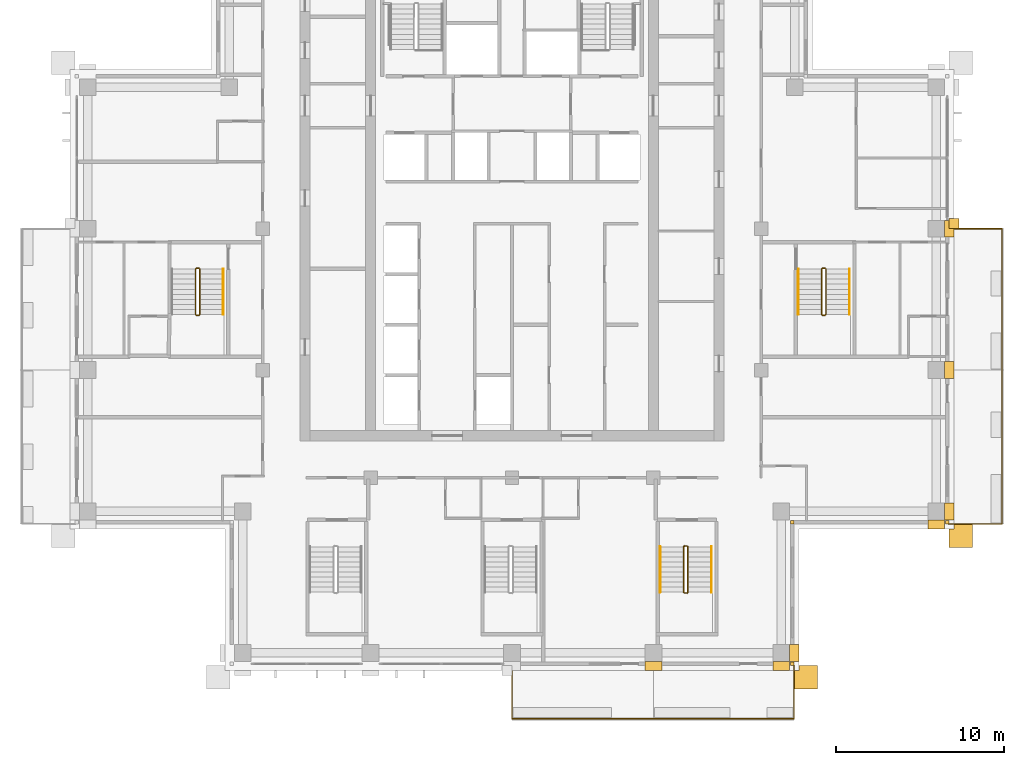
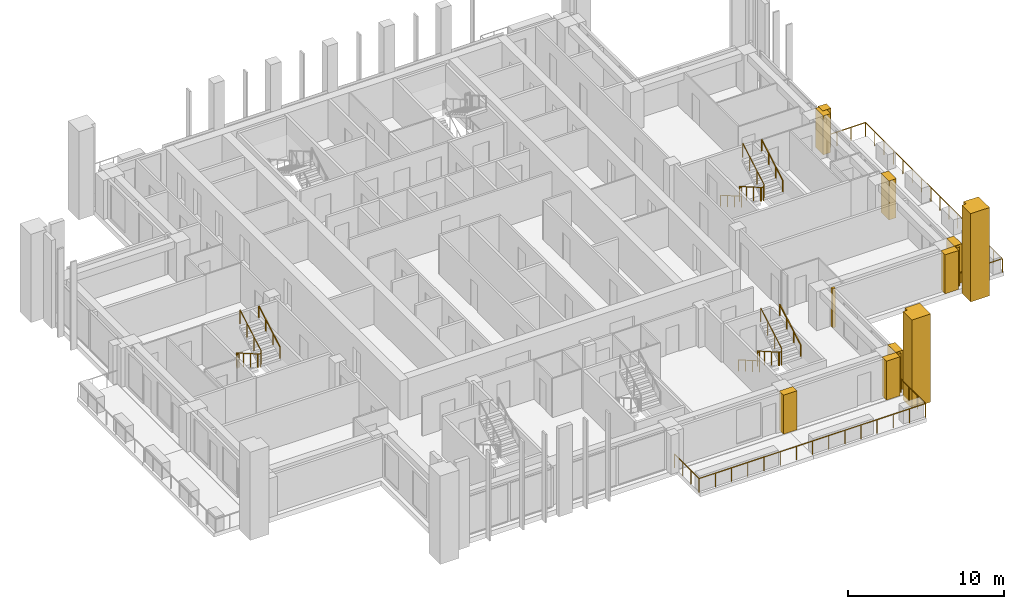
# One storey, part 16 of 18: 13 coverings, 12 railings.
"""IFC4 building model written with IfcOpenShell, lengths in metres."""

from ifc_helpers import new_model, si_unit, direction, frame, origin, origin_2d, place, context, subcontext, project, spatial, polyline, rectangle, outline, extrude, material, type_object, element, save


model = new_model("IFC4")

# Units and contexts
model_context = context("Model", 3, precision=1e-05, world=origin(), true_north=direction((0.0, 1.0)))
body_context = subcontext(model_context, "Body", "Model", "MODEL_VIEW")
ifc_project = project(units=[si_unit("LENGTHUNIT", "METRE"), si_unit("AREAUNIT", "SQUARE_METRE"), si_unit("VOLUMEUNIT", "CUBIC_METRE"), si_unit("PLANEANGLEUNIT", "RADIAN"), si_unit("MASSUNIT", "GRAM", prefix="KILO")], contexts=[model_context])

# Site, building, storey
site_placement = place(None, origin())
site = spatial("IfcSite", under=ifc_project, at=site_placement, CompositionType="ELEMENT")
building_placement = place(site_placement, origin())
building = spatial("IfcBuilding", under=site, at=building_placement, Name="Vermilion Ogive Tower", CompositionType="ELEMENT")
storey_placement = place(building_placement, frame((0.0, 0.0, 199.699951171875)))
storey = spatial("IfcBuildingStorey", under=building, at=storey_placement, Name="L52", CompositionType="ELEMENT", Elevation=199.699951171875)

# Railings
ifc_material_1 = material(Name="Stainless steel and glass", Category="steel")
railing_type_1 = type_object("IfcRailingType", Name="Balcony guard", PredefinedType="GUARDRAIL", material=ifc_material_1)
railing_1_placement = place(storey_placement, frame((0.0, -21.75, -0.0400390625)))
element("IfcRailing", 1, at=railing_1_placement, inside=storey, type_object=railing_type_1, Name="Guard S03", PredefinedType="GUARDRAIL", context=body_context, shape_type="SweptSolid", body=[
    extrude(rectangle(XDim=0.048095703125, YDim=0.048095703125, at=origin_2d()), frame((0.0, 0.0, 1.076171875), z_axis=(0.0, -1.0, 0.0), x_axis=(1.0, 0.0, 0.0)), (0.0, 0.0, 1.0), 3.159912109375),
    extrude(rectangle(XDim=0.048095703125, YDim=0.048095703125, at=origin_2d()), frame((0.0, -3.159912109375, 1.076171875), z_axis=(1.0, 0.0, 0.0), x_axis=(0.0, 1.0, 0.0)), (0.0, 0.0, 1.0), 8.39990234375),
    extrude(rectangle(XDim=0.0419921875, YDim=0.0419921875, at=origin_2d()), origin(), (0.0, 0.0, 1.0), 1.052001953125),
    extrude(rectangle(XDim=0.0419921875, YDim=0.0419921875, at=origin_2d()), frame((0.0, -1.05322265625, 0.0)), (0.0, 0.0, 1.0), 1.052001953125),
    extrude(rectangle(XDim=0.0419921875, YDim=0.0419921875, at=origin_2d()), frame((0.0, -2.106689453125, 0.0)), (0.0, 0.0, 1.0), 1.052001953125),
    extrude(rectangle(XDim=0.0419921875, YDim=0.0419921875, at=origin_2d()), frame((0.0, -3.159912109375, 0.0)), (0.0, 0.0, 1.0), 1.052001953125),
    extrude(rectangle(XDim=0.0419921875, YDim=0.0419921875, at=origin_2d()), frame((1.199951171875, -3.159912109375, 0.0)), (0.0, 0.0, 1.0), 1.052001953125),
    extrude(rectangle(XDim=0.0419921875, YDim=0.0419921875, at=origin_2d()), frame((2.39990234375, -3.159912109375, 0.0)), (0.0, 0.0, 1.0), 1.052001953125),
    extrude(rectangle(XDim=0.0419921875, YDim=0.0419921875, at=origin_2d()), frame((3.599853515625, -3.159912109375, 0.0)), (0.0, 0.0, 1.0), 1.052001953125),
    extrude(rectangle(XDim=0.0419921875, YDim=0.0419921875, at=origin_2d()), frame((4.800048828125, -3.159912109375, 0.0)), (0.0, 0.0, 1.0), 1.052001953125),
    extrude(rectangle(XDim=0.0419921875, YDim=0.0419921875, at=origin_2d()), frame((6.0, -3.159912109375, 0.0)), (0.0, 0.0, 1.0), 1.052001953125),
    extrude(rectangle(XDim=0.0419921875, YDim=0.0419921875, at=origin_2d()), frame((7.199951171875, -3.159912109375, 0.0)), (0.0, 0.0, 1.0), 1.052001953125),
    extrude(rectangle(XDim=0.0419921875, YDim=0.0419921875, at=origin_2d()), frame((8.39990234375, -3.159912109375, 0.0)), (0.0, 0.0, 1.0), 1.052001953125),
])
railing_2_placement = place(storey_placement, frame((8.39990234375, -24.909912109375, -0.0400390625)))
element("IfcRailing", 2, at=railing_2_placement, inside=storey, type_object=railing_type_1, Name="Guard S04", PredefinedType="GUARDRAIL", context=body_context, shape_type="SweptSolid", body=[
    extrude(rectangle(XDim=0.048095703125, YDim=0.048095703125, at=origin_2d()), frame((0.0, 0.0, 1.076171875), z_axis=(1.0, 0.0, 0.0), x_axis=(0.0, 1.0, 0.0)), (0.0, 0.0, 1.0), 8.35009765625),
    extrude(rectangle(XDim=0.048095703125, YDim=0.048095703125, at=origin_2d()), frame((8.35009765625, 0.0, 1.076171875), z_axis=(0.0, 1.0, 0.0), x_axis=(-1.0, 0.0, 0.0)), (0.0, 0.0, 1.0), 3.159912109375),
    extrude(rectangle(XDim=0.0419921875, YDim=0.0419921875, at=origin_2d()), origin(), (0.0, 0.0, 1.0), 1.052001953125),
    extrude(rectangle(XDim=0.0419921875, YDim=0.0419921875, at=origin_2d()), frame((1.19287109375, 0.0, 0.0)), (0.0, 0.0, 1.0), 1.052001953125),
    extrude(rectangle(XDim=0.0419921875, YDim=0.0419921875, at=origin_2d()), frame((2.3857421875, 0.0, 0.0)), (0.0, 0.0, 1.0), 1.052001953125),
    extrude(rectangle(XDim=0.0419921875, YDim=0.0419921875, at=origin_2d()), frame((3.57861328125, 0.0, 0.0)), (0.0, 0.0, 1.0), 1.052001953125),
    extrude(rectangle(XDim=0.0419921875, YDim=0.0419921875, at=origin_2d()), frame((4.771484375, 0.0, 0.0)), (0.0, 0.0, 1.0), 1.052001953125),
    extrude(rectangle(XDim=0.0419921875, YDim=0.0419921875, at=origin_2d()), frame((5.96435546875, 0.0, 0.0)), (0.0, 0.0, 1.0), 1.052001953125),
    extrude(rectangle(XDim=0.0419921875, YDim=0.0419921875, at=origin_2d()), frame((7.1572265625, 0.0, 0.0)), (0.0, 0.0, 1.0), 1.052001953125),
    extrude(rectangle(XDim=0.0419921875, YDim=0.0419921875, at=origin_2d()), frame((8.35009765625, 0.0, 0.0)), (0.0, 0.0, 1.0), 1.052001953125),
    extrude(rectangle(XDim=0.0419921875, YDim=0.0419921875, at=origin_2d()), frame((8.35009765625, 1.05322265625, 0.0)), (0.0, 0.0, 1.0), 1.052001953125),
    extrude(rectangle(XDim=0.0419921875, YDim=0.0419921875, at=origin_2d()), frame((8.35009765625, 2.106689453125, 0.0)), (0.0, 0.0, 1.0), 1.052001953125),
    extrude(rectangle(XDim=0.0419921875, YDim=0.0419921875, at=origin_2d()), frame((8.35009765625, 3.159912109375, 0.0)), (0.0, 0.0, 1.0), 1.052001953125),
])
railing_3_placement = place(storey_placement, frame((25.949951171875, -13.35009765625, -0.0400390625)))
element("IfcRailing", 3, at=railing_3_placement, inside=storey, type_object=railing_type_1, Name="Guard E01", PredefinedType="GUARDRAIL", context=body_context, shape_type="SweptSolid", body=[
    extrude(rectangle(XDim=0.048095703125, YDim=0.048095703125, at=origin_2d()), frame((0.0, 0.0, 1.076171875), z_axis=(1.0, 0.0, 0.0), x_axis=(0.0, 1.0, 0.0)), (0.0, 0.0, 1.0), 3.16015625),
    extrude(rectangle(XDim=0.048095703125, YDim=0.048095703125, at=origin_2d()), frame((3.16015625, 0.0, 1.076171875), z_axis=(0.0, 1.0, 0.0), x_axis=(-1.0, 0.0, 0.0)), (0.0, 0.0, 1.0), 9.150146484375),
    extrude(rectangle(XDim=0.0419921875, YDim=0.0419921875, at=origin_2d()), origin(), (0.0, 0.0, 1.0), 1.052001953125),
    extrude(rectangle(XDim=0.0419921875, YDim=0.0419921875, at=origin_2d()), frame((1.053466796875, 0.0, 0.0)), (0.0, 0.0, 1.0), 1.052001953125),
    extrude(rectangle(XDim=0.0419921875, YDim=0.0419921875, at=origin_2d()), frame((2.106689453125, 0.0, 0.0)), (0.0, 0.0, 1.0), 1.052001953125),
    extrude(rectangle(XDim=0.0419921875, YDim=0.0419921875, at=origin_2d()), frame((3.16015625, 0.0, 0.0)), (0.0, 0.0, 1.0), 1.052001953125),
    extrude(rectangle(XDim=0.0419921875, YDim=0.0419921875, at=origin_2d()), frame((3.16015625, 1.143798828125, 0.0)), (0.0, 0.0, 1.0), 1.052001953125),
    extrude(rectangle(XDim=0.0419921875, YDim=0.0419921875, at=origin_2d()), frame((3.16015625, 2.28759765625, 0.0)), (0.0, 0.0, 1.0), 1.052001953125),
    extrude(rectangle(XDim=0.0419921875, YDim=0.0419921875, at=origin_2d()), frame((3.16015625, 3.431396484375, 0.0)), (0.0, 0.0, 1.0), 1.052001953125),
    extrude(rectangle(XDim=0.0419921875, YDim=0.0419921875, at=origin_2d()), frame((3.16015625, 4.5751953125, 0.0)), (0.0, 0.0, 1.0), 1.052001953125),
    extrude(rectangle(XDim=0.0419921875, YDim=0.0419921875, at=origin_2d()), frame((3.16015625, 5.71875, 0.0)), (0.0, 0.0, 1.0), 1.052001953125),
    extrude(rectangle(XDim=0.0419921875, YDim=0.0419921875, at=origin_2d()), frame((3.16015625, 6.862548828125, 0.0)), (0.0, 0.0, 1.0), 1.052001953125),
    extrude(rectangle(XDim=0.0419921875, YDim=0.0419921875, at=origin_2d()), frame((3.16015625, 8.00634765625, 0.0)), (0.0, 0.0, 1.0), 1.052001953125),
    extrude(rectangle(XDim=0.0419921875, YDim=0.0419921875, at=origin_2d()), frame((3.16015625, 9.150146484375, 0.0)), (0.0, 0.0, 1.0), 1.052001953125),
])
railing_4_placement = place(storey_placement, frame((29.110107421875, -4.199951171875, -0.0400390625)))
element("IfcRailing", 4, at=railing_4_placement, inside=storey, type_object=railing_type_1, Name="Guard E02", PredefinedType="GUARDRAIL", context=body_context, shape_type="SweptSolid", body=[
    extrude(rectangle(XDim=0.048095703125, YDim=0.048095703125, at=origin_2d()), frame((0.0, 0.0, 1.076171875), z_axis=(0.0, 1.0, 0.0), x_axis=(-1.0, 0.0, 0.0)), (0.0, 0.0, 1.0), 8.39990234375),
    extrude(rectangle(XDim=0.048095703125, YDim=0.048095703125, at=origin_2d()), frame((0.0, 8.39990234375, 1.076171875), z_axis=(-1.0, 0.0, 0.0), x_axis=(0.0, -1.0, 0.0)), (0.0, 0.0, 1.0), 3.16015625),
    extrude(rectangle(XDim=0.0419921875, YDim=0.0419921875, at=origin_2d()), origin(), (0.0, 0.0, 1.0), 1.052001953125),
    extrude(rectangle(XDim=0.0419921875, YDim=0.0419921875, at=origin_2d()), frame((0.0, 1.199951171875, 0.0)), (0.0, 0.0, 1.0), 1.052001953125),
    extrude(rectangle(XDim=0.0419921875, YDim=0.0419921875, at=origin_2d()), frame((0.0, 2.39990234375, 0.0)), (0.0, 0.0, 1.0), 1.052001953125),
    extrude(rectangle(XDim=0.0419921875, YDim=0.0419921875, at=origin_2d()), frame((0.0, 3.599853515625, 0.0)), (0.0, 0.0, 1.0), 1.052001953125),
    extrude(rectangle(XDim=0.0419921875, YDim=0.0419921875, at=origin_2d()), frame((0.0, 4.800048828125, 0.0)), (0.0, 0.0, 1.0), 1.052001953125),
    extrude(rectangle(XDim=0.0419921875, YDim=0.0419921875, at=origin_2d()), frame((0.0, 6.0, 0.0)), (0.0, 0.0, 1.0), 1.052001953125),
    extrude(rectangle(XDim=0.0419921875, YDim=0.0419921875, at=origin_2d()), frame((0.0, 7.199951171875, 0.0)), (0.0, 0.0, 1.0), 1.052001953125),
    extrude(rectangle(XDim=0.0419921875, YDim=0.0419921875, at=origin_2d()), frame((0.0, 8.39990234375, 0.0)), (0.0, 0.0, 1.0), 1.052001953125),
    extrude(rectangle(XDim=0.0419921875, YDim=0.0419921875, at=origin_2d()), frame((-1.053466796875, 8.39990234375, 0.0)), (0.0, 0.0, 1.0), 1.052001953125),
    extrude(rectangle(XDim=0.0419921875, YDim=0.0419921875, at=origin_2d()), frame((-2.106689453125, 8.39990234375, 0.0)), (0.0, 0.0, 1.0), 1.052001953125),
    extrude(rectangle(XDim=0.0419921875, YDim=0.0419921875, at=origin_2d()), frame((-3.16015625, 8.39990234375, 0.0)), (0.0, 0.0, 1.0), 1.052001953125),
])
ifc_material_2 = material(Name="Steel S355 painted", Category="steel")
railing_type_2 = type_object("IfcRailingType", Name="Stair guard 1100", PredefinedType="GUARDRAIL", material=ifc_material_2)
railing_5_placement = place(storey_placement, frame((10.39990234375, -14.64990234375, 0.0)))
element("IfcRailing", 5, at=railing_5_placement, inside=storey, type_object=railing_type_2, Name="L52 ST5 stair guard 4", PredefinedType="GUARDRAIL", context=body_context, shape_type="SweptSolid", body=[
    extrude(rectangle(XDim=0.048095703125, YDim=0.048095703125, at=origin_2d()), frame((0.0, 0.0, 1.076171875), z_axis=(-1.0, 0.0, 0.0), x_axis=(0.0, -1.0, 0.0)), (0.0, 0.0, 1.0), 0.14990234375),
    extrude(rectangle(XDim=0.048095703125, YDim=0.048095703125, at=origin_2d()), frame((-0.14990234375, 0.0, 1.076171875), z_axis=(-0.268277960024, -0.268277960024, 0.925231793839), x_axis=(0.707106781187, -0.707106781187, 0.0)), (0.0, 0.0, 1.0), 0.1865234375),
    extrude(rectangle(XDim=0.048095703125, YDim=0.048095703125, at=origin_2d()), frame((-0.199951171875, -0.050048828125, 1.24853515625), z_axis=(0.0, -0.866903762492, 0.498475542607), x_axis=(1.0, 0.0, 0.0)), (0.0, 0.0, 1.0), 3.114501953125),
    extrude(rectangle(XDim=0.048095703125, YDim=0.048095703125, at=origin_2d()), frame((-0.199951171875, -2.75, 2.80126953125), z_axis=(0.707106781187, -0.707106781187, 0.0), x_axis=(0.707106781187, 0.707106781187, 0.0)), (0.0, 0.0, 1.0), 0.07080078125),
    extrude(rectangle(XDim=0.048095703125, YDim=0.048095703125, at=origin_2d()), frame((-0.14990234375, -2.800048828125, 2.80126953125), z_axis=(1.0, 0.0, 0.0), x_axis=(0.0, 1.0, 0.0)), (0.0, 0.0, 1.0), 0.14990234375),
    extrude(rectangle(XDim=0.048095703125, YDim=0.048095703125, at=origin_2d()), frame((0.0, -2.800048828125, 2.80126953125), z_axis=(0.268603158521, 0.268603158521, 0.925043072762), x_axis=(-0.707106781187, 0.707106781187, 0.0)), (0.0, 0.0, 1.0), 0.186279296875),
    extrude(rectangle(XDim=0.048095703125, YDim=0.048095703125, at=origin_2d()), frame((0.050048828125, -2.75, 2.9736328125), z_axis=(0.0, 0.866903762492, 0.498475542607), x_axis=(-1.0, 0.0, 0.0)), (0.0, 0.0, 1.0), 3.114501953125),
    extrude(rectangle(XDim=0.0419921875, YDim=0.0419921875, at=origin_2d()), origin(), (0.0, 0.0, 1.0), 1.052001953125),
    extrude(rectangle(XDim=0.0419921875, YDim=0.0419921875, at=origin_2d()), frame((-0.14990234375, 0.0, 0.0)), (0.0, 0.0, 1.0), 1.052001953125),
    extrude(rectangle(XDim=0.0419921875, YDim=0.0419921875, at=origin_2d()), frame((-0.199951171875, -0.050048828125, 0.172607421875)), (0.0, 0.0, 1.0), 1.052001953125),
    extrude(rectangle(XDim=0.0419921875, YDim=0.0419921875, at=origin_2d()), frame((-0.199951171875, -0.949951171875, 0.690185546875)), (0.0, 0.0, 1.0), 1.052001953125),
    extrude(rectangle(XDim=0.0419921875, YDim=0.0419921875, at=origin_2d()), frame((-0.199951171875, -1.85009765625, 1.20751953125)), (0.0, 0.0, 1.0), 1.052001953125),
    extrude(rectangle(XDim=0.0419921875, YDim=0.0419921875, at=origin_2d()), frame((-0.199951171875, -2.75, 1.72509765625)), (0.0, 0.0, 1.0), 1.052001953125),
    extrude(rectangle(XDim=0.0419921875, YDim=0.0419921875, at=origin_2d()), frame((-0.14990234375, -2.800048828125, 1.72509765625)), (0.0, 0.0, 1.0), 1.052001953125),
    extrude(rectangle(XDim=0.0419921875, YDim=0.0419921875, at=origin_2d()), frame((0.0, -2.800048828125, 1.72509765625)), (0.0, 0.0, 1.0), 1.052001953125),
    extrude(rectangle(XDim=0.0419921875, YDim=0.0419921875, at=origin_2d()), frame((0.050048828125, -2.75, 1.8974609375)), (0.0, 0.0, 1.0), 1.052001953125),
    extrude(rectangle(XDim=0.0419921875, YDim=0.0419921875, at=origin_2d()), frame((0.050048828125, -1.85009765625, 2.4150390625)), (0.0, 0.0, 1.0), 1.052001953125),
    extrude(rectangle(XDim=0.0419921875, YDim=0.0419921875, at=origin_2d()), frame((0.050048828125, -0.949951171875, 2.932373046875)), (0.0, 0.0, 1.0), 1.052001953125),
    extrude(rectangle(XDim=0.0419921875, YDim=0.0419921875, at=origin_2d()), frame((0.050048828125, -0.050048828125, 3.449951171875)), (0.0, 0.0, 1.0), 1.052001953125),
])
railing_6_placement = place(storey_placement, frame((18.60009765625, 1.85009765625, 0.0)))
element("IfcRailing", 6, at=railing_6_placement, inside=storey, type_object=railing_type_2, Name="L52 ST8 stair guard 4", PredefinedType="GUARDRAIL", context=body_context, shape_type="SweptSolid", body=[
    extrude(rectangle(XDim=0.048095703125, YDim=0.048095703125, at=origin_2d()), frame((0.0, 0.0, 1.076171875), z_axis=(-1.0, 0.0, 0.0), x_axis=(0.0, -1.0, 0.0)), (0.0, 0.0, 1.0), 0.150146484375),
    extrude(rectangle(XDim=0.048095703125, YDim=0.048095703125, at=origin_2d()), frame((-0.150146484375, 0.0, 1.076171875), z_axis=(-0.268277960024, -0.268277960024, 0.925231793839), x_axis=(0.707106781187, -0.707106781187, 0.0)), (0.0, 0.0, 1.0), 0.1865234375),
    extrude(rectangle(XDim=0.048095703125, YDim=0.048095703125, at=origin_2d()), frame((-0.2001953125, -0.050048828125, 1.24853515625), z_axis=(0.0, -0.866903762492, 0.498475542607), x_axis=(1.0, 0.0, 0.0)), (0.0, 0.0, 1.0), 3.114501953125),
    extrude(rectangle(XDim=0.048095703125, YDim=0.048095703125, at=origin_2d()), frame((-0.2001953125, -2.75, 2.80126953125), z_axis=(0.707106781187, -0.707106781187, 0.0), x_axis=(0.707106781187, 0.707106781187, 0.0)), (0.0, 0.0, 1.0), 0.07080078125),
    extrude(rectangle(XDim=0.048095703125, YDim=0.048095703125, at=origin_2d()), frame((-0.150146484375, -2.800048828125, 2.80126953125), z_axis=(1.0, 0.0, 0.0), x_axis=(0.0, 1.0, 0.0)), (0.0, 0.0, 1.0), 0.150146484375),
    extrude(rectangle(XDim=0.048095703125, YDim=0.048095703125, at=origin_2d()), frame((0.0, -2.800048828125, 2.80126953125), z_axis=(0.267386790225, 0.268697509785, 0.925368009307), x_axis=(-0.708833529934, 0.705375805398, 0.0)), (0.0, 0.0, 1.0), 0.186279296875),
    extrude(rectangle(XDim=0.048095703125, YDim=0.048095703125, at=origin_2d()), frame((0.0498046875, -2.75, 2.9736328125), z_axis=(0.0, 0.866903762492, 0.498475542607), x_axis=(-1.0, 0.0, 0.0)), (0.0, 0.0, 1.0), 3.114501953125),
    extrude(rectangle(XDim=0.0419921875, YDim=0.0419921875, at=origin_2d()), origin(), (0.0, 0.0, 1.0), 1.052001953125),
    extrude(rectangle(XDim=0.0419921875, YDim=0.0419921875, at=origin_2d()), frame((-0.150146484375, 0.0, 0.0)), (0.0, 0.0, 1.0), 1.052001953125),
    extrude(rectangle(XDim=0.0419921875, YDim=0.0419921875, at=origin_2d()), frame((-0.2001953125, -0.050048828125, 0.172607421875)), (0.0, 0.0, 1.0), 1.052001953125),
    extrude(rectangle(XDim=0.0419921875, YDim=0.0419921875, at=origin_2d()), frame((-0.2001953125, -0.949951171875, 0.690185546875)), (0.0, 0.0, 1.0), 1.052001953125),
    extrude(rectangle(XDim=0.0419921875, YDim=0.0419921875, at=origin_2d()), frame((-0.2001953125, -1.85009765625, 1.20751953125)), (0.0, 0.0, 1.0), 1.052001953125),
    extrude(rectangle(XDim=0.0419921875, YDim=0.0419921875, at=origin_2d()), frame((-0.2001953125, -2.75, 1.72509765625)), (0.0, 0.0, 1.0), 1.052001953125),
    extrude(rectangle(XDim=0.0419921875, YDim=0.0419921875, at=origin_2d()), frame((-0.150146484375, -2.800048828125, 1.72509765625)), (0.0, 0.0, 1.0), 1.052001953125),
    extrude(rectangle(XDim=0.0419921875, YDim=0.0419921875, at=origin_2d()), frame((0.0, -2.800048828125, 1.72509765625)), (0.0, 0.0, 1.0), 1.052001953125),
    extrude(rectangle(XDim=0.0419921875, YDim=0.0419921875, at=origin_2d()), frame((0.0498046875, -2.75, 1.8974609375)), (0.0, 0.0, 1.0), 1.052001953125),
    extrude(rectangle(XDim=0.0419921875, YDim=0.0419921875, at=origin_2d()), frame((0.0498046875, -1.85009765625, 2.4150390625)), (0.0, 0.0, 1.0), 1.052001953125),
    extrude(rectangle(XDim=0.0419921875, YDim=0.0419921875, at=origin_2d()), frame((0.0498046875, -0.949951171875, 2.932373046875)), (0.0, 0.0, 1.0), 1.052001953125),
    extrude(rectangle(XDim=0.0419921875, YDim=0.0419921875, at=origin_2d()), frame((0.0498046875, -0.050048828125, 3.449951171875)), (0.0, 0.0, 1.0), 1.052001953125),
])
railing_7_placement = place(storey_placement, frame((-18.60009765625, 1.85009765625, 0.0)))
element("IfcRailing", 7, at=railing_7_placement, inside=storey, type_object=railing_type_2, Name="L52 ST9 stair guard 4", PredefinedType="GUARDRAIL", context=body_context, shape_type="SweptSolid", body=[
    extrude(rectangle(XDim=0.048095703125, YDim=0.048095703125, at=origin_2d()), frame((0.0, 0.0, 1.076171875), z_axis=(-1.0, 0.0, 0.0), x_axis=(0.0, -1.0, 0.0)), (0.0, 0.0, 1.0), 0.14990234375),
    extrude(rectangle(XDim=0.048095703125, YDim=0.048095703125, at=origin_2d()), frame((-0.14990234375, 0.0, 1.076171875), z_axis=(-0.268277960024, -0.268277960024, 0.925231793839), x_axis=(0.707106781187, -0.707106781187, 0.0)), (0.0, 0.0, 1.0), 0.1865234375),
    extrude(rectangle(XDim=0.048095703125, YDim=0.048095703125, at=origin_2d()), frame((-0.199951171875, -0.050048828125, 1.24853515625), z_axis=(0.0, -0.866903762492, 0.498475542607), x_axis=(1.0, 0.0, 0.0)), (0.0, 0.0, 1.0), 3.114501953125),
    extrude(rectangle(XDim=0.048095703125, YDim=0.048095703125, at=origin_2d()), frame((-0.199951171875, -2.75, 2.80126953125), z_axis=(0.707106781187, -0.707106781187, 0.0), x_axis=(0.707106781187, 0.707106781187, 0.0)), (0.0, 0.0, 1.0), 0.07080078125),
    extrude(rectangle(XDim=0.048095703125, YDim=0.048095703125, at=origin_2d()), frame((-0.14990234375, -2.800048828125, 2.80126953125), z_axis=(1.0, 0.0, 0.0), x_axis=(0.0, 1.0, 0.0)), (0.0, 0.0, 1.0), 0.14990234375),
    extrude(rectangle(XDim=0.048095703125, YDim=0.048095703125, at=origin_2d()), frame((0.0, -2.800048828125, 2.80126953125), z_axis=(0.268603158521, 0.268603158521, 0.925043072762), x_axis=(-0.707106781187, 0.707106781187, 0.0)), (0.0, 0.0, 1.0), 0.186279296875),
    extrude(rectangle(XDim=0.048095703125, YDim=0.048095703125, at=origin_2d()), frame((0.050048828125, -2.75, 2.9736328125), z_axis=(0.0, 0.866903762492, 0.498475542607), x_axis=(-1.0, 0.0, 0.0)), (0.0, 0.0, 1.0), 3.114501953125),
    extrude(rectangle(XDim=0.0419921875, YDim=0.0419921875, at=origin_2d()), origin(), (0.0, 0.0, 1.0), 1.052001953125),
    extrude(rectangle(XDim=0.0419921875, YDim=0.0419921875, at=origin_2d()), frame((-0.14990234375, 0.0, 0.0)), (0.0, 0.0, 1.0), 1.052001953125),
    extrude(rectangle(XDim=0.0419921875, YDim=0.0419921875, at=origin_2d()), frame((-0.199951171875, -0.050048828125, 0.172607421875)), (0.0, 0.0, 1.0), 1.052001953125),
    extrude(rectangle(XDim=0.0419921875, YDim=0.0419921875, at=origin_2d()), frame((-0.199951171875, -0.949951171875, 0.690185546875)), (0.0, 0.0, 1.0), 1.052001953125),
    extrude(rectangle(XDim=0.0419921875, YDim=0.0419921875, at=origin_2d()), frame((-0.199951171875, -1.85009765625, 1.20751953125)), (0.0, 0.0, 1.0), 1.052001953125),
    extrude(rectangle(XDim=0.0419921875, YDim=0.0419921875, at=origin_2d()), frame((-0.199951171875, -2.75, 1.72509765625)), (0.0, 0.0, 1.0), 1.052001953125),
    extrude(rectangle(XDim=0.0419921875, YDim=0.0419921875, at=origin_2d()), frame((-0.14990234375, -2.800048828125, 1.72509765625)), (0.0, 0.0, 1.0), 1.052001953125),
    extrude(rectangle(XDim=0.0419921875, YDim=0.0419921875, at=origin_2d()), frame((0.0, -2.800048828125, 1.72509765625)), (0.0, 0.0, 1.0), 1.052001953125),
    extrude(rectangle(XDim=0.0419921875, YDim=0.0419921875, at=origin_2d()), frame((0.050048828125, -2.75, 1.8974609375)), (0.0, 0.0, 1.0), 1.052001953125),
    extrude(rectangle(XDim=0.0419921875, YDim=0.0419921875, at=origin_2d()), frame((0.050048828125, -1.85009765625, 2.4150390625)), (0.0, 0.0, 1.0), 1.052001953125),
    extrude(rectangle(XDim=0.0419921875, YDim=0.0419921875, at=origin_2d()), frame((0.050048828125, -0.949951171875, 2.932373046875)), (0.0, 0.0, 1.0), 1.052001953125),
    extrude(rectangle(XDim=0.0419921875, YDim=0.0419921875, at=origin_2d()), frame((0.050048828125, -0.050048828125, 3.449951171875)), (0.0, 0.0, 1.0), 1.052001953125),
])
ifc_material_3 = material(Name="Stainless steel", Category="steel")
railing_type_3 = type_object("IfcRailingType", Name="Stair handrail 900", PredefinedType="HANDRAIL", material=ifc_material_3)
railing_8_placement = place(storey_placement, frame((8.800048828125, -14.699951171875, 0.172607421875)))
element("IfcRailing", 8, at=railing_8_placement, inside=storey, type_object=railing_type_3, Name="L52 ST5 stair handrail 1", PredefinedType="HANDRAIL", context=body_context, shape_type="SweptSolid", body=[
    extrude(rectangle(XDim=0.048095703125, YDim=0.048095703125, at=origin_2d()), frame((0.0, 0.0, 0.8759765625), z_axis=(0.0, -0.866903762492, 0.498475542607), x_axis=(1.0, 0.0, 0.0)), (0.0, 0.0, 1.0), 3.114501953125),
    extrude(rectangle(XDim=0.0419921875, YDim=0.0419921875, at=origin_2d()), origin(), (0.0, 0.0, 1.0), 0.851806640625),
    extrude(rectangle(XDim=0.0419921875, YDim=0.0419921875, at=origin_2d()), frame((0.0, -0.89990234375, 0.517578125)), (0.0, 0.0, 1.0), 0.851806640625),
    extrude(rectangle(XDim=0.0419921875, YDim=0.0419921875, at=origin_2d()), frame((0.0, -1.800048828125, 1.034912109375)), (0.0, 0.0, 1.0), 0.851806640625),
    extrude(rectangle(XDim=0.0419921875, YDim=0.0419921875, at=origin_2d()), frame((0.0, -2.699951171875, 1.552490234375)), (0.0, 0.0, 1.0), 0.851806640625),
])
railing_9_placement = place(storey_placement, frame((11.85009765625, -17.39990234375, 1.8974609375)))
element("IfcRailing", 9, at=railing_9_placement, inside=storey, type_object=railing_type_3, Name="L52 ST5 stair handrail 2", PredefinedType="HANDRAIL", context=body_context, shape_type="SweptSolid", body=[
    extrude(rectangle(XDim=0.048095703125, YDim=0.048095703125, at=origin_2d()), frame((0.0, 0.0, 0.8759765625), z_axis=(0.0, 0.866903762492, 0.498475542607), x_axis=(-1.0, 0.0, 0.0)), (0.0, 0.0, 1.0), 3.114501953125),
    extrude(rectangle(XDim=0.0419921875, YDim=0.0419921875, at=origin_2d()), origin(), (0.0, 0.0, 1.0), 0.851806640625),
    extrude(rectangle(XDim=0.0419921875, YDim=0.0419921875, at=origin_2d()), frame((0.0, 0.89990234375, 0.517578125)), (0.0, 0.0, 1.0), 0.851806640625),
    extrude(rectangle(XDim=0.0419921875, YDim=0.0419921875, at=origin_2d()), frame((0.0, 1.800048828125, 1.034912109375)), (0.0, 0.0, 1.0), 0.851806640625),
    extrude(rectangle(XDim=0.0419921875, YDim=0.0419921875, at=origin_2d()), frame((0.0, 2.699951171875, 1.552490234375)), (0.0, 0.0, 1.0), 0.851806640625),
])
railing_10_placement = place(storey_placement, frame((17.0, 1.800048828125, 0.172607421875)))
element("IfcRailing", 10, at=railing_10_placement, inside=storey, type_object=railing_type_3, Name="L52 ST8 stair handrail 1", PredefinedType="HANDRAIL", context=body_context, shape_type="SweptSolid", body=[
    extrude(rectangle(XDim=0.048095703125, YDim=0.048095703125, at=origin_2d()), frame((0.0, 0.0, 0.8759765625), z_axis=(0.0, -0.866903762492, 0.498475542607), x_axis=(1.0, 0.0, 0.0)), (0.0, 0.0, 1.0), 3.114501953125),
    extrude(rectangle(XDim=0.0419921875, YDim=0.0419921875, at=origin_2d()), origin(), (0.0, 0.0, 1.0), 0.851806640625),
    extrude(rectangle(XDim=0.0419921875, YDim=0.0419921875, at=origin_2d()), frame((0.0, -0.89990234375, 0.517578125)), (0.0, 0.0, 1.0), 0.851806640625),
    extrude(rectangle(XDim=0.0419921875, YDim=0.0419921875, at=origin_2d()), frame((0.0, -1.800048828125, 1.034912109375)), (0.0, 0.0, 1.0), 0.851806640625),
    extrude(rectangle(XDim=0.0419921875, YDim=0.0419921875, at=origin_2d()), frame((0.0, -2.699951171875, 1.552490234375)), (0.0, 0.0, 1.0), 0.851806640625),
])
for number, where, name in (
    (11, (20.050048828125, -0.89990234375, 1.8974609375), "L52 ST8 stair handrail 2"),
    (12, (-17.14990234375, -0.89990234375, 1.8974609375), "L52 ST9 stair handrail 2"),
):
    element("IfcRailing", number, at=place(storey_placement, frame(where)), inside=storey, type_object=railing_type_3, Name=name, PredefinedType="HANDRAIL", context=body_context, shape_type="SweptSolid", body=[
        extrude(rectangle(XDim=0.048095703125, YDim=0.048095703125, at=origin_2d()), frame((0.0, 0.0, 0.8759765625), z_axis=(0.0, 0.866903762492, 0.498475542607), x_axis=(-1.0, 0.0, 0.0)), (0.0, 0.0, 1.0), 3.114501953125),
        extrude(rectangle(XDim=0.0419921875, YDim=0.0419921875, at=origin_2d()), origin(), (0.0, 0.0, 1.0), 0.851806640625),
        extrude(rectangle(XDim=0.0419921875, YDim=0.0419921875, at=origin_2d()), frame((0.0, 0.89990234375, 0.517578125)), (0.0, 0.0, 1.0), 0.851806640625),
        extrude(rectangle(XDim=0.0419921875, YDim=0.0419921875, at=origin_2d()), frame((0.0, 1.800048828125, 1.034912109375)), (0.0, 0.0, 1.0), 0.851806640625),
        extrude(rectangle(XDim=0.0419921875, YDim=0.0419921875, at=origin_2d()), frame((0.0, 2.699951171875, 1.552490234375)), (0.0, 0.0, 1.0), 0.851806640625),
    ])

# Coverings
ifc_material_4 = material(Name="Stone cladding", Category="masonry")
covering_type_1 = type_object("IfcCoveringType", Name="Stone corner buttress", PredefinedType="CLADDING", material=ifc_material_4)
covering_1_placement = place(storey_placement, origin())
element("IfcCovering", 13, at=covering_1_placement, inside=storey, type_object=covering_type_1, Name="Stone crease pier EK", PredefinedType="CLADDING", context=body_context, shape_type="SweptSolid", body=[
    extrude(outline(polyline([(26.550048828125, 4.199951171875), (26.550048828125, 4.800048828125), (25.949951171875, 4.800048828125), (25.949951171875, 4.199951171875), (26.550048828125, 4.199951171875)])), origin(), (0.0, 0.0, 1.0), 3.050048828125),
])
covering_2_placement = place(storey_placement, frame((0.0, 0.0, -0.39990234375)))
element("IfcCovering", 14, at=covering_2_placement, inside=storey, type_object=covering_type_1, Name="Stone corner buttress X11", PredefinedType="CLADDING", context=body_context, shape_type="SweptSolid", body=[
    extrude(outline(polyline([(16.75, -23.14990234375), (16.75, -22.050048828125), (17.050048828125, -22.050048828125), (17.050048828125, -21.75), (18.14990234375, -21.75), (18.14990234375, -23.14990234375), (16.75, -23.14990234375)])), origin(), (0.0, 0.0, 1.0), 6.89990234375),
])
covering_3_placement = place(storey_placement, frame((0.0, 0.0, -0.39990234375)))
element("IfcCovering", 15, at=covering_3_placement, inside=storey, type_object=covering_type_1, Name="Stone corner buttress E1", PredefinedType="CLADDING", context=body_context, shape_type="SweptSolid", body=[
    extrude(outline(polyline([(26.25, -13.64990234375), (26.25, -13.35009765625), (27.35009765625, -13.35009765625), (27.35009765625, -14.75), (25.949951171875, -14.75), (25.949951171875, -13.64990234375), (26.25, -13.64990234375)])), origin(), (0.0, 0.0, 1.0), 6.89990234375),
])
ifc_material_5 = material(Name="Stone cladding", Category="masonry")
covering_type_2 = type_object("IfcCoveringType", Name="Stone pier", PredefinedType="CLADDING", material=ifc_material_5)
covering_4_placement = place(storey_placement, origin())
element("IfcCovering", 16, at=covering_4_placement, inside=storey, type_object=covering_type_2, Name="Stone corner pier SE1", PredefinedType="CLADDING", context=body_context, shape_type="SweptSolid", body=[
    extrude(outline(polyline([(16.550048828125, -21.550048828125), (16.75, -21.550048828125), (16.75, -21.75), (16.550048828125, -21.75), (16.550048828125, -21.550048828125)])), origin(), (0.0, 0.0, 1.0), 3.050048828125),
])
covering_5_placement = place(storey_placement, origin())
element("IfcCovering", 17, at=covering_5_placement, inside=storey, type_object=covering_type_2, Name="Stone corner pier X1E1", PredefinedType="CLADDING", context=body_context, shape_type="SweptSolid", body=[
    extrude(outline(polyline([(16.550048828125, -13.14990234375), (16.75, -13.14990234375), (16.75, -13.35009765625), (16.550048828125, -13.35009765625), (16.550048828125, -13.14990234375)])), origin(), (0.0, 0.0, 1.0), 3.050048828125),
])
covering_6_placement = place(storey_placement, origin())
element("IfcCovering", 18, at=covering_6_placement, inside=storey, type_object=covering_type_2, Name="Stone corner pier X2E1", PredefinedType="CLADDING", context=body_context, shape_type="SweptSolid", body=[
    extrude(outline(polyline([(25.75, -13.14990234375), (25.949951171875, -13.14990234375), (25.949951171875, -13.35009765625), (25.75, -13.35009765625), (25.75, -13.14990234375)])), origin(), (0.0, 0.0, 1.0), 3.050048828125),
])
covering_7_placement = place(storey_placement, origin())
element("IfcCovering", 19, at=covering_7_placement, inside=storey, type_object=covering_type_2, Name="Stone pier P+0084-210", PredefinedType="CLADDING", context=body_context, shape_type="SweptSolid", body=[
    extrude(outline(polyline([(8.89990234375, -21.5), (8.89990234375, -22.050048828125), (7.89990234375, -22.050048828125), (7.89990234375, -21.5), (7.89990234375, -21.5), (8.89990234375, -21.5)])), origin(), (0.0, 0.0, 1.0), 3.050048828125),
])
covering_8_placement = place(storey_placement, origin())
element("IfcCovering", 20, at=covering_8_placement, inside=storey, type_object=covering_type_2, Name="Stone pier P+0160-210S", PredefinedType="CLADDING", context=body_context, shape_type="SweptSolid", body=[
    extrude(outline(polyline([(16.5, -22.050048828125), (15.5, -22.050048828125), (15.5, -21.5), (16.5, -21.5), (16.5, -22.050048828125)])), origin(), (0.0, 0.0, 1.0), 3.050048828125),
])
covering_9_placement = place(storey_placement, origin())
element("IfcCovering", 21, at=covering_9_placement, inside=storey, type_object=covering_type_2, Name="Stone pier P+0160-210X1", PredefinedType="CLADDING", context=body_context, shape_type="SweptSolid", body=[
    extrude(outline(polyline([(17.050048828125, -21.5), (16.5, -21.5), (16.5, -20.5), (17.050048828125, -20.5), (17.050048828125, -21.5)])), origin(), (0.0, 0.0, 1.0), 3.050048828125),
])
covering_10_placement = place(storey_placement, origin())
element("IfcCovering", 22, at=covering_10_placement, inside=storey, type_object=covering_type_2, Name="Stone pier P+0252+042", PredefinedType="CLADDING", context=body_context, shape_type="SweptSolid", body=[
    extrude(outline(polyline([(25.699951171875, 4.699951171875), (25.949951171875, 4.699951171875), (25.949951171875, 4.199951171875), (26.25, 4.199951171875), (26.25, 3.699951171875), (25.699951171875, 3.699951171875), (25.699951171875, 4.699951171875), (25.699951171875, 4.699951171875)])), origin(), (0.0, 0.0, 1.0), 3.050048828125),
])
covering_11_placement = place(storey_placement, origin())
element("IfcCovering", 23, at=covering_11_placement, inside=storey, type_object=covering_type_2, Name="Stone pier P+0252-042", PredefinedType="CLADDING", context=body_context, shape_type="SweptSolid", body=[
    extrude(outline(polyline([(25.699951171875, -3.699951171875), (26.25, -3.699951171875), (26.25, -4.699951171875), (25.699951171875, -4.699951171875), (25.699951171875, -4.699951171875), (25.699951171875, -3.699951171875)])), origin(), (0.0, 0.0, 1.0), 3.050048828125),
])
covering_12_placement = place(storey_placement, origin())
element("IfcCovering", 24, at=covering_12_placement, inside=storey, type_object=covering_type_2, Name="Stone pier P+0252-126X2", PredefinedType="CLADDING", context=body_context, shape_type="SweptSolid", body=[
    extrude(outline(polyline([(25.699951171875, -13.64990234375), (24.699951171875, -13.64990234375), (24.699951171875, -13.10009765625), (25.699951171875, -13.10009765625), (25.699951171875, -13.64990234375)])), origin(), (0.0, 0.0, 1.0), 3.050048828125),
])
covering_13_placement = place(storey_placement, origin())
element("IfcCovering", 25, at=covering_13_placement, inside=storey, type_object=covering_type_2, Name="Stone pier P+0252-126E", PredefinedType="CLADDING", context=body_context, shape_type="SweptSolid", body=[
    extrude(outline(polyline([(26.25, -13.10009765625), (25.699951171875, -13.10009765625), (25.699951171875, -12.10009765625), (26.25, -12.10009765625), (26.25, -13.10009765625)])), origin(), (0.0, 0.0, 1.0), 3.050048828125),
])

save(model, "model.ifc")
